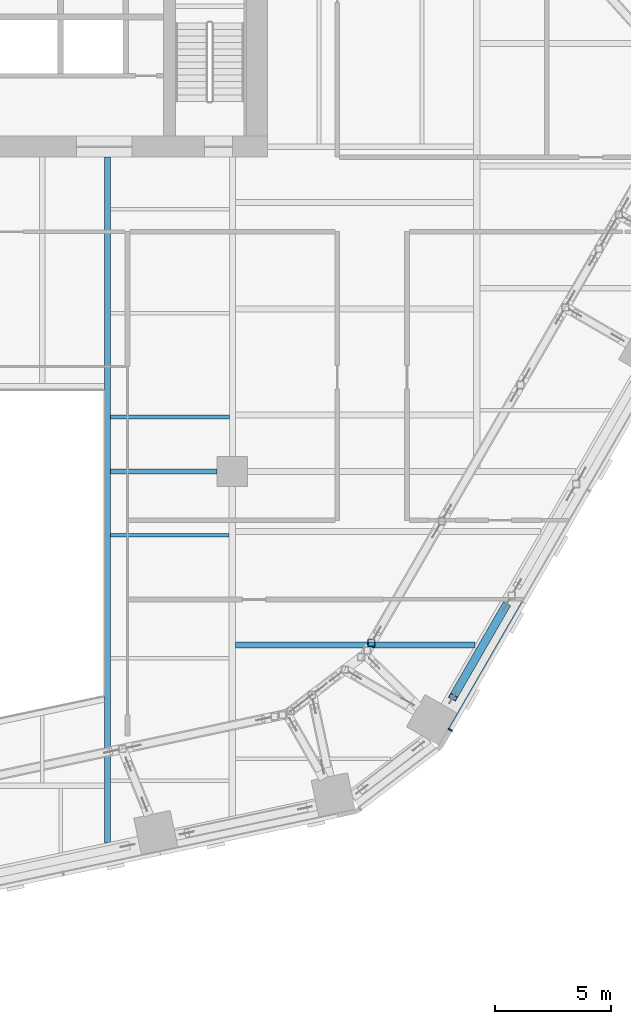
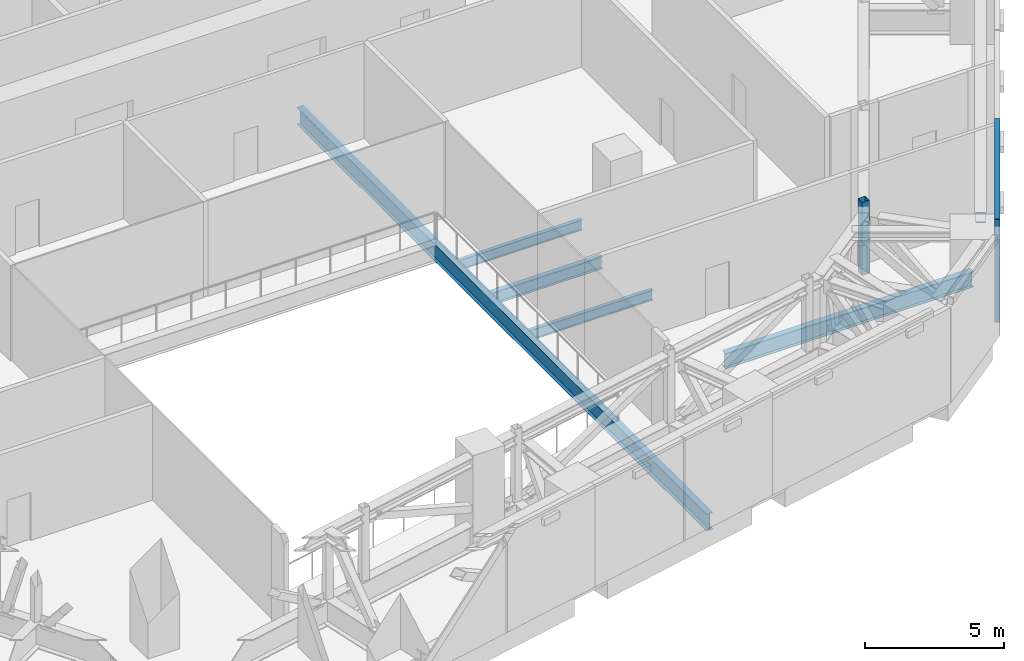
# One storey, part 7 of 36: 5 beams, 4 members, 1 element without a shape of its own.
"""IFC4 building model written with IfcOpenShell, lengths in metres."""

from ifc_helpers import new_model, si_unit, direction, frame, origin, origin_2d, place, context, subcontext, project, spatial, rectangle, hollow_rectangle, i_section, extrude, material, layer, layer_set, material_profile, profile_set, type_object, element, aggregate, save


model = new_model("IFC4")

# Units and contexts
model_context = context("Model", 3, precision=1e-05, world=origin(), true_north=direction((0.0, 1.0)))
body_context = subcontext(model_context, "Body", "Model", "MODEL_VIEW")
ifc_project = project(units=[si_unit("LENGTHUNIT", "METRE"), si_unit("AREAUNIT", "SQUARE_METRE"), si_unit("VOLUMEUNIT", "CUBIC_METRE"), si_unit("PLANEANGLEUNIT", "RADIAN"), si_unit("MASSUNIT", "GRAM", prefix="KILO")], contexts=[model_context])

# Site, building, storey
site_placement = place(None, origin())
site = spatial("IfcSite", under=ifc_project, at=site_placement, CompositionType="ELEMENT")
building_placement = place(site_placement, origin())
building = spatial("IfcBuilding", under=site, at=building_placement, Name="Isthmus Gate Tower", CompositionType="ELEMENT")
storey_placement = place(building_placement, frame((0.0, 0.0, 117.14990234375)))
storey = spatial("IfcBuildingStorey", under=building, at=storey_placement, Name="L28", CompositionType="ELEMENT", Elevation=117.14990234375)

# Curtain wall, members
ifc_material_1 = material(Name="Aluminium, pale champagne anodised", Category="aluminium")
ifc_layer = layer(ifc_material_1, 0.199951171875)
ifc_layer_set = layer_set([ifc_layer], Name="CW-2 LOUVRE CURTAIN WALL 200 DEEP")
curtain_wall_type = type_object("IfcCurtainWallType", Name="CW-2 LOUVRE CURTAIN WALL 200 DEEP", PredefinedType="NOTDEFINED", material=ifc_layer_set)
curtain_wall_placement = place(storey_placement, origin())
curtain_wall = element("IfcCurtainWall", 1, at=curtain_wall_placement, inside=storey, type_object=curtain_wall_type, Name="CW-2 SE L28", PredefinedType="NOTDEFINED")
ifc_material_2 = material(Name="Aluminium, pale champagne anodised", Category="aluminium")
ifc_material_profile_1 = material_profile(ifc_material_2, rectangle(XDim=0.06005859375, YDim=0.199951171875, at=origin_2d()), Name="60x200")
ifc_profile_set_1 = profile_set([ifc_material_profile_1], Name="Aluminium, pale champagne anodised")
member_type_1 = type_object("IfcMemberType", Name="CW-2 MULLION 60 X 200", PredefinedType="MULLION", material=ifc_profile_set_1)
member_1_placement = place(storey_placement, frame((22.863525390625, -24.599365234375, 0.0), z_axis=(0.0, 0.0, 1.0), x_axis=(0.5, 0.866025403784, 0.0)))
member_1 = element("IfcMember", 2, at=member_1_placement, type_object=member_type_1, Name="CW-2 mullion", PredefinedType="MULLION", context=body_context, shape_type="SweptSolid", body=[
    extrude(rectangle(XDim=0.06005859375, YDim=0.199951171875, at=origin_2d()), origin(), (0.0, 0.0, 1.0), 4.5),
])
ifc_material_3 = material(Name="Aluminium, pale champagne anodised", Category="aluminium")
ifc_material_profile_2 = material_profile(ifc_material_3, rectangle(XDim=0.199951171875, YDim=0.1201171875, at=origin_2d()), Name="200x120")
ifc_profile_set_2 = profile_set([ifc_material_profile_2], Name="Aluminium, pale champagne anodised")
member_type_2 = type_object("IfcMemberType", Name="CW-2 TRANSOM 200 X 120", PredefinedType="USERDEFINED", material=ifc_profile_set_2)
member_2_placement = place(storey_placement, frame((22.87841796875, -24.5732421875, 4.440185546875), z_axis=(0.50002426866, 0.866011391814, 0.0), x_axis=(-0.866011391814, 0.50002426866, 0.0)))
member_2 = element("IfcMember", 3, at=member_2_placement, type_object=member_type_2, Name="CW-2 transom", ObjectType="TRANSOM", PredefinedType="USERDEFINED", context=body_context, shape_type="SweptSolid", body=[
    extrude(rectangle(XDim=0.199951171875, YDim=0.1201171875, at=origin_2d()), origin(), (0.0, 0.0, 1.0), 6.278564453125),
])
aggregate(curtain_wall, [member_1, member_2])

# Beams
ifc_material_4 = material(Name="Structural steel ASTM A992 Gr 50", Category="steel")
ifc_material_profile_3 = material_profile(ifc_material_4, i_section(OverallWidth=0.15234375, OverallDepth=0.45068359375, WebThickness=0.0078125, FlangeThickness=0.010986328125, at=origin_2d()), Name="W18X35")
ifc_profile_set_3 = profile_set([ifc_material_profile_3], Name="Structural steel ASTM A992 Gr 50")
beam_type_1 = type_object("IfcBeamType", Name="STEEL FLOOR BEAM W18X35", PredefinedType="JOIST", material=ifc_profile_set_3)
beam_1_placement = place(storey_placement, frame((8.263427734375, -16.241455078125, -0.525390625), z_axis=(1.0, 0.0, 0.0), x_axis=(0.0, 1.0, 0.0)))
element("IfcBeam", 4, at=beam_1_placement, inside=storey, type_object=beam_type_1, Name="str-beam-L28-23-02", PredefinedType="JOIST", context=body_context, shape_type="SweptSolid", body=[
    extrude(i_section(OverallWidth=0.15234375, OverallDepth=0.45068359375, WebThickness=0.0078125, FlangeThickness=0.010986328125, at=origin_2d()), origin(), (0.0, 0.0, 1.0), 5.103271484375),
])
beam_2_placement = place(storey_placement, frame((8.263427734375, -11.16259765625, -0.525390625), z_axis=(1.0, 0.0, 0.0), x_axis=(0.0, 1.0, 0.0)))
element("IfcBeam", 5, at=beam_2_placement, inside=storey, type_object=beam_type_1, Name="str-beam-L28-24-00", PredefinedType="JOIST", context=body_context, shape_type="SweptSolid", body=[
    extrude(i_section(OverallWidth=0.15234375, OverallDepth=0.45068359375, WebThickness=0.0078125, FlangeThickness=0.010986328125, at=origin_2d()), origin(), (0.0, 0.0, 1.0), 5.104736328125),
])
ifc_material_5 = material(Name="Structural steel ASTM A992 Gr 50", Category="steel")
ifc_material_profile_4 = material_profile(ifc_material_5, i_section(OverallWidth=0.25390625, OverallDepth=0.679443359375, WebThickness=0.010986328125, FlangeThickness=0.015869140625, at=origin_2d()), Name="W27X84")
ifc_profile_set_4 = profile_set([ifc_material_profile_4], Name="Structural steel ASTM A992 Gr 50")
beam_type_2 = type_object("IfcBeamType", Name="STEEL FLOOR BEAM W27X84", PredefinedType="JOIST", material=ifc_profile_set_4)
beam_3_placement = place(storey_placement, frame((13.63330078125, -20.958740234375, -0.6396484375), z_axis=(1.0, 0.0, 0.0), x_axis=(0.0, 1.0, 0.0)))
element("IfcBeam", 6, at=beam_3_placement, inside=storey, type_object=beam_type_2, Name="str-beam-L28-28-01", PredefinedType="JOIST", context=body_context, shape_type="SweptSolid", body=[
    extrude(i_section(OverallWidth=0.25390625, OverallDepth=0.679443359375, WebThickness=0.010986328125, FlangeThickness=0.015869140625, at=origin_2d()), origin(), (0.0, 0.0, 1.0), 10.292724609375),
])
ifc_material_6 = material(Name="Structural steel ASTM A992 Gr 50", Category="steel")
ifc_material_profile_5 = material_profile(ifc_material_6, i_section(OverallWidth=0.20947265625, OverallDepth=0.533447265625, WebThickness=0.009521484375, FlangeThickness=0.015869140625, at=origin_2d()), Name="W21X62")
ifc_profile_set_5 = profile_set([ifc_material_profile_5], Name="Structural steel ASTM A992 Gr 50")
beam_type_3 = type_object("IfcBeamType", Name="STEEL GIRDER W21X62", PredefinedType="BEAM", material=ifc_profile_set_5)
beam_4_placement = place(storey_placement, frame((8.263427734375, -13.5, -0.566650390625), z_axis=(1.0, 0.0, 0.0), x_axis=(0.0, 1.0, 0.0)))
element("IfcBeam", 7, at=beam_4_placement, inside=storey, type_object=beam_type_3, Name="str-girder-L28-07", PredefinedType="BEAM", context=body_context, shape_type="SweptSolid", body=[
    extrude(i_section(OverallWidth=0.20947265625, OverallDepth=0.533447265625, WebThickness=0.009521484375, FlangeThickness=0.015869140625, at=origin_2d()), origin(), (0.0, 0.0, 1.0), 4.586669921875),
])
ifc_material_7 = material(Name="Structural steel ASTM A992 Gr 50", Category="steel")
ifc_material_profile_6 = material_profile(ifc_material_7, i_section(OverallWidth=0.263427734375, OverallDepth=0.749267578125, WebThickness=0.0126953125, FlangeThickness=0.015869140625, at=origin_2d()), Name="W30X90")
ifc_profile_set_6 = profile_set([ifc_material_profile_6], Name="Structural steel ASTM A992 Gr 50")
beam_type_4 = type_object("IfcBeamType", Name="STEEL TRIMMER W30X90", PredefinedType="BEAM", material=ifc_profile_set_6)
beam_5_placement = place(storey_placement, frame((8.1318359375, -29.45361328125, -0.674560546875), z_axis=(0.0, 1.0, 0.0), x_axis=(-1.0, 0.0, 0.0)))
element("IfcBeam", 8, at=beam_5_placement, inside=storey, type_object=beam_type_4, Name="str-trimmer-L28-01", PredefinedType="BEAM", context=body_context, shape_type="SweptSolid", body=[
    extrude(i_section(OverallWidth=0.263427734375, OverallDepth=0.749267578125, WebThickness=0.0126953125, FlangeThickness=0.015869140625, at=origin_2d()), origin(), (0.0, 0.0, 1.0), 29.45361328125),
])

# Members
ifc_material_8 = material(Name="Structural steel ASTM A500 Gr C", Category="steel")
ifc_material_profile_7 = material_profile(ifc_material_8, hollow_rectangle(XDim=0.3046875, YDim=0.3046875, WallThickness=0.014892578125, at=origin_2d()), Name="HSS12X12X5/8")
ifc_profile_set_7 = profile_set([ifc_material_profile_7], Name="Structural steel ASTM A500 Gr C")
member_type_3 = type_object("IfcMemberType", Name="TRANSFER TRUSS POST HSS12X12X5/8", PredefinedType="POST", material=ifc_profile_set_7)
member_3_placement = place(storey_placement, frame((19.47314453125, -20.871337890625, 1.089111328125), z_axis=(0.0, 0.0, 1.0), x_axis=(1.0, 0.0, 0.0)))
element("IfcMember", 9, at=member_3_placement, inside=storey, type_object=member_type_3, Name="str-ring03-L28-09", PredefinedType="POST", context=body_context, shape_type="SweptSolid", body=[
    extrude(hollow_rectangle(XDim=0.3046875, YDim=0.3046875, WallThickness=0.014892578125, at=origin_2d()), origin(), (0.0, 0.0, 1.0), 3.2109375),
])
ifc_material_9 = material(Name="Structural steel ASTM A500 Gr C", Category="steel")
ifc_material_profile_8 = material_profile(ifc_material_9, hollow_rectangle(XDim=0.355712890625, YDim=0.355712890625, WallThickness=0.017578125, at=origin_2d()), Name="HSS14X14X3/4")
ifc_profile_set_8 = profile_set([ifc_material_profile_8], Name="Structural steel ASTM A500 Gr C")
member_type_4 = type_object("IfcMemberType", Name="TRUSS DIAGONAL HSS14X14X3/4", PredefinedType="BRACE", material=ifc_profile_set_8)
member_4_placement = place(storey_placement, frame((25.248291015625, -19.268798828125, 0.482666015625), z_axis=(-0.407191649217, -0.705226500904, 0.580388269377), x_axis=(0.866010015463, -0.500026652407, 0.0)))
element("IfcMember", 10, at=member_4_placement, inside=storey, type_object=member_type_4, Name="str-belt08-L28-07", PredefinedType="BRACE", context=body_context, shape_type="SweptSolid", body=[
    extrude(hollow_rectangle(XDim=0.355712890625, YDim=0.355712890625, WallThickness=0.017578125, at=origin_2d()), origin(), (0.0, 0.0, 1.0), 5.57373046875),
])

save(model, "model.ifc")
